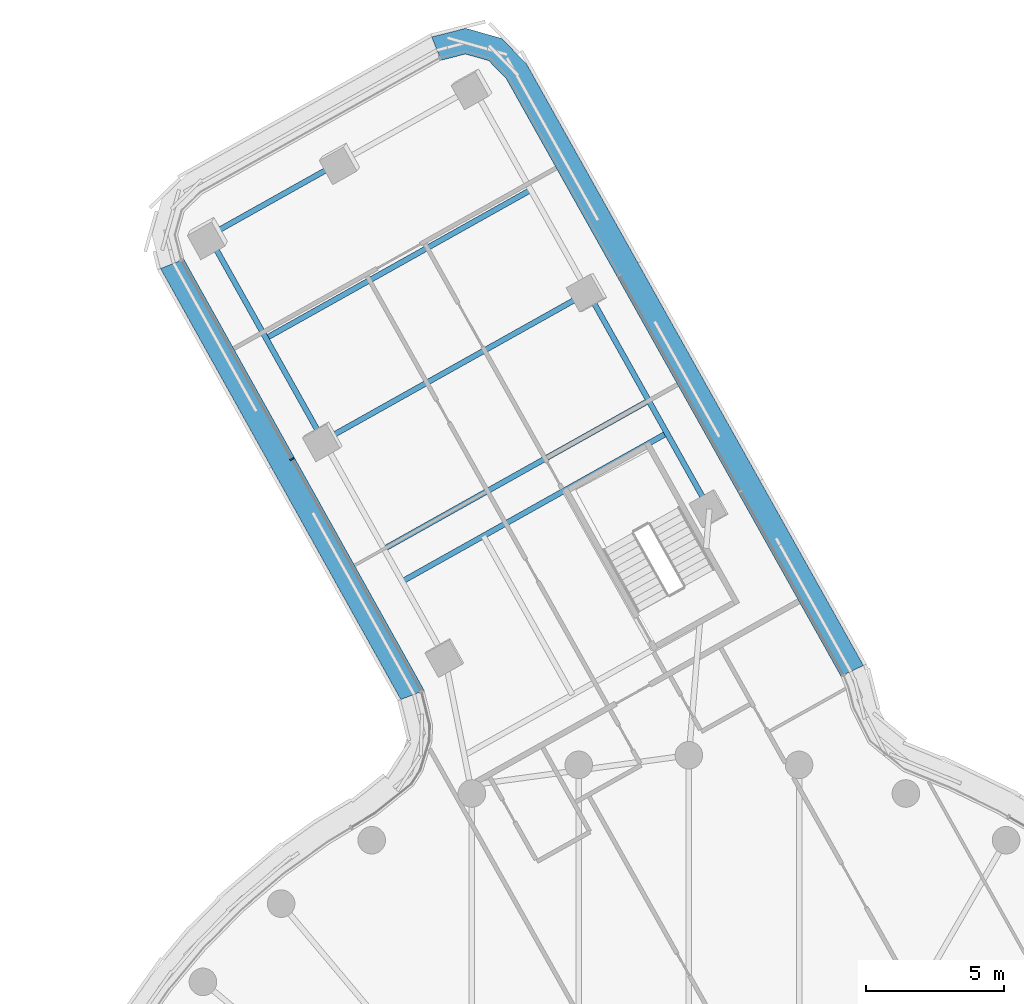
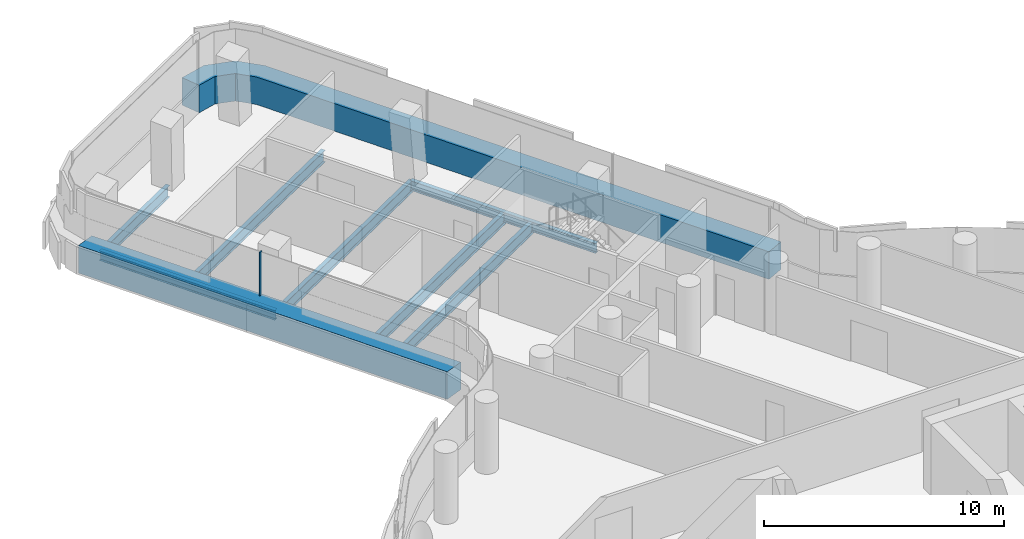
# One storey, part 16 of 34: 7 beams, 3 members, 2 elements without a shape of their own.
"""IFC4 building model written with IfcOpenShell, lengths in metres."""

from ifc_helpers import new_model, si_unit, direction, frame, origin, origin_2d, place, context, subcontext, project, spatial, polyline, rectangle, i_section, outline, extrude, material, layer, layer_set, material_profile, profile_set, type_object, element, aggregate, save


model = new_model("IFC4")

# Units and contexts
model_context = context("Model", 3, precision=1e-05, world=origin(), true_north=direction((0.0, 1.0)))
body_context = subcontext(model_context, "Body", "Model", "MODEL_VIEW")
ifc_project = project(units=[si_unit("LENGTHUNIT", "METRE"), si_unit("AREAUNIT", "SQUARE_METRE"), si_unit("VOLUMEUNIT", "CUBIC_METRE"), si_unit("PLANEANGLEUNIT", "RADIAN"), si_unit("MASSUNIT", "GRAM", prefix="KILO")], contexts=[model_context])

# Site, building, storey
site_placement = place(None, origin())
site = spatial("IfcSite", under=ifc_project, at=site_placement, CompositionType="ELEMENT")
building_placement = place(site_placement, origin())
building = spatial("IfcBuilding", under=site, at=building_placement, Name="Tamarind Cross Interchange Tower", CompositionType="ELEMENT")
storey_placement = place(building_placement, frame((0.0, 0.0, 140.5)))
storey = spatial("IfcBuildingStorey", under=building, at=storey_placement, Name="L34", CompositionType="ELEMENT", Elevation=140.5)

# Beams
ifc_material_1 = material(Name="Steel Q355B", Category="steel")
ifc_material_profile_1 = material_profile(ifc_material_1, i_section(OverallWidth=0.198974609375, OverallDepth=0.49609375, WebThickness=0.009033203125, FlangeThickness=0.013916015625, FilletRadius=0.012939453125, at=origin_2d()), Name="HN 496x199x9x14")
ifc_profile_set_1 = profile_set([ifc_material_profile_1], Name="Steel Q355B")
beam_type_1 = type_object("IfcBeamType", Name="Composite beam HN 496x199x9x14 Q355B", PredefinedType="BEAM", material=ifc_profile_set_1)
beam_1_placement = place(storey_placement, frame((-3.65576171875, 39.78125, -0.387939453125), z_axis=(0.488691751996, -0.872456515553, 0.0), x_axis=(0.872456515553, 0.488691751996, 0.0)))
element("IfcBeam", 1, at=beam_1_placement, inside=storey, type_object=beam_type_1, Name="Beam N-edgeem6", PredefinedType="BEAM", context=body_context, shape_type="SweptSolid", body=[
    extrude(i_section(OverallWidth=0.198974609375, OverallDepth=0.49609375, WebThickness=0.009033203125, FlangeThickness=0.013916015625, FilletRadius=0.012939453125, at=origin_2d()), origin(), (0.0, 0.0, 1.0), 9.0),
])
beam_2_placement = place(storey_placement, frame((-17.412109375, 41.83154296875, -0.387939453125), z_axis=(0.488669750731, -0.872468838825, 0.0), x_axis=(0.872468838825, 0.488669750731, 0.0)))
element("IfcBeam", 2, at=beam_2_placement, inside=storey, type_object=beam_type_1, Name="Beam N-edgeep2", PredefinedType="BEAM", context=body_context, shape_type="SweptSolid", body=[
    extrude(i_section(OverallWidth=0.198974609375, OverallDepth=0.49609375, WebThickness=0.009033203125, FlangeThickness=0.013916015625, FilletRadius=0.012939453125, at=origin_2d()), origin(), (0.0, 0.0, 1.0), 8.51123046875),
])
ifc_material_profile_2 = material_profile(ifc_material_1, i_section(OverallWidth=0.199951171875, OverallDepth=0.60009765625, WebThickness=0.010986328125, FlangeThickness=0.01708984375, FilletRadius=0.012939453125, at=origin_2d()), Name="HN 600x200x11x17")
ifc_profile_set_2 = profile_set([ifc_material_profile_2], Name="Steel Q355B")
beam_type_2 = type_object("IfcBeamType", Name="Composite beam HN 600x200x11x17 Q355B", PredefinedType="BEAM", material=ifc_profile_set_2)
beam_3_placement = place(storey_placement, frame((-12.61376953125, 44.519287109375, -0.43994140625), z_axis=(-0.872453780313, -0.488696635161, 0.0), x_axis=(0.488696635161, -0.872453780313, 0.0)))
element("IfcBeam", 3, at=beam_3_placement, inside=storey, type_object=beam_type_2, Name="Beam N-tip1", PredefinedType="BEAM", context=body_context, shape_type="SweptSolid", body=[
    extrude(i_section(OverallWidth=0.199951171875, OverallDepth=0.60009765625, WebThickness=0.010986328125, FlangeThickness=0.01708984375, FilletRadius=0.012939453125, at=origin_2d()), origin(), (0.0, 0.0, 1.0), 5.499755859375),
])
beam_4_placement = place(storey_placement, frame((-0.796875, 34.677490234375, -0.43994140625), z_axis=(-0.872454918509, -0.488694603171, 0.0), x_axis=(0.488694603171, -0.872454918509, 0.0)))
element("IfcBeam", 4, at=beam_4_placement, inside=storey, type_object=beam_type_2, Name="Beam N-x334", PredefinedType="BEAM", context=body_context, shape_type="SweptSolid", body=[
    extrude(i_section(OverallWidth=0.199951171875, OverallDepth=0.60009765625, WebThickness=0.010986328125, FlangeThickness=0.01708984375, FilletRadius=0.012939453125, at=origin_2d()), origin(), (0.0, 0.0, 1.0), 11.000244140625),
])
beam_5_placement = place(storey_placement, frame((-3.65576171875, 39.78125, -0.43994140625), z_axis=(-0.872464381267, -0.488677709151, 0.0), x_axis=(0.488677709151, -0.872464381267, 0.0)))
element("IfcBeam", 5, at=beam_5_placement, inside=storey, type_object=beam_type_2, Name="Beam N-x393", PredefinedType="BEAM", context=body_context, shape_type="SweptSolid", body=[
    extrude(i_section(OverallWidth=0.199951171875, OverallDepth=0.60009765625, WebThickness=0.010986328125, FlangeThickness=0.01708984375, FilletRadius=0.012939453125, at=origin_2d()), origin(), (0.0, 0.0, 1.0), 11.0),
])
beam_6_placement = place(storey_placement, frame((-1.456787109375, 35.855224609375, -0.43994140625), z_axis=(-0.872459080944, -0.488687172002, 0.0), x_axis=(0.488687172002, -0.872459080944, 0.0)))
element("IfcBeam", 6, at=beam_6_placement, inside=storey, type_object=beam_type_2, Name="Beam N-x348", PredefinedType="BEAM", context=body_context, shape_type="SweptSolid", body=[
    extrude(i_section(OverallWidth=0.199951171875, OverallDepth=0.60009765625, WebThickness=0.010986328125, FlangeThickness=0.01708984375, FilletRadius=0.012939453125, at=origin_2d()), origin(), (0.0, 0.0, 1.0), 10.999755859375),
])
beam_7_placement = place(storey_placement, frame((-5.7353515625, 43.494140625, -0.43994140625), z_axis=(-0.872464381267, -0.488677709151, 0.0), x_axis=(0.488677709151, -0.872464381267, 0.0)))
element("IfcBeam", 7, at=beam_7_placement, inside=storey, type_object=beam_type_2, Name="Beam N-x436", PredefinedType="BEAM", context=body_context, shape_type="SweptSolid", body=[
    extrude(i_section(OverallWidth=0.199951171875, OverallDepth=0.60009765625, WebThickness=0.010986328125, FlangeThickness=0.01708984375, FilletRadius=0.012939453125, at=origin_2d()), origin(), (0.0, 0.0, 1.0), 11.0),
])

# Curtain wall, member
ifc_material_2 = material(Name="Aluminium 6063-T6", Category="aluminium")
ifc_layer = layer(ifc_material_2, 0.159912109375)
ifc_layer_set = layer_set([ifc_layer], Name="Aluminium 6063-T6")
curtain_wall_type = type_object("IfcCurtainWallType", Name="Office curtain wall, 9.0 m bays", PredefinedType="NOTDEFINED", material=ifc_layer_set)
curtain_wall_1_placement = place(storey_placement, origin())
curtain_wall_1 = element("IfcCurtainWall", 8, at=curtain_wall_1_placement, inside=storey, type_object=curtain_wall_type, Name="CWS-L34-11", PredefinedType="NOTDEFINED")
ifc_material_3 = material(Name="Aluminium and insulated spandrel panel", Category="aluminium")
member_type_1 = type_object("IfcMemberType", Name="Floor-edge blade transom", PredefinedType="USERDEFINED", material=ifc_material_3)
member_1_placement = place(storey_placement, origin())
member_1 = element("IfcMember", 9, at=member_1_placement, type_object=member_type_1, Name="CWT-L34-11", ObjectType="TRANSOM", PredefinedType="USERDEFINED", context=body_context, shape_type="SweptSolid", body=[
    extrude(outline(polyline([(5.51416015625, 25.86572265625), (-6.62060546875, 47.530029296875), (-7.259521484375, 48.185546875), (-8.10107421875, 48.423095703125), (-8.98828125, 48.197509765625), (-9.32470703125, 49.040771484375), (-8.089111328125, 49.354736328125), (-6.783203125, 48.986572265625), (-5.893310546875, 48.0732421875), (6.328125, 26.25390625), (5.51416015625, 25.86572265625)])), origin(), (0.0, 0.0, 1.0), 1.39990234375),
])
aggregate(curtain_wall_1, [member_1])

# Curtain wall, members
curtain_wall_2_placement = place(storey_placement, origin())
curtain_wall_2 = element("IfcCurtainWall", 10, at=curtain_wall_2_placement, inside=storey, type_object=curtain_wall_type, Name="CWS-L34-13", PredefinedType="NOTDEFINED")
member_2_placement = place(storey_placement, origin())
member_2 = element("IfcMember", 11, at=member_2_placement, type_object=member_type_1, Name="CWT-L34-13", ObjectType="TRANSOM", PredefinedType="USERDEFINED", context=body_context, shape_type="SweptSolid", body=[
    extrude(outline(polyline([(-18.3115234375, 40.981201171875), (-9.597900390625, 25.3505859375), (-10.443359375, 25.0185546875), (-19.15478515625, 40.645751953125), (-18.3115234375, 40.981201171875)])), origin(), (0.0, 0.0, 1.0), 1.39990234375),
])
ifc_material_profile_3 = material_profile(ifc_material_2, rectangle(XDim=0.06005859375, YDim=0.159912109375, at=origin_2d()), Name="Mullion CW1")
ifc_profile_set_3 = profile_set([ifc_material_profile_3], Name="Aluminium 6063-T6")
member_type_2 = type_object("IfcMemberType", Name="Mullion CW1", PredefinedType="MULLION", material=ifc_profile_set_3)
member_3_placement = place(storey_placement, frame((-14.388427734375, 33.73876953125, 1.39990234375), z_axis=(0.0, 0.0, 1.0), x_axis=(0.486914520101, -0.873449626547, 0.0)))
member_3 = element("IfcMember", 12, at=member_3_placement, type_object=member_type_2, Name="CWM-L34-13-01", PredefinedType="MULLION", context=body_context, shape_type="SweptSolid", body=[
    extrude(rectangle(XDim=0.06005859375, YDim=0.159912109375, at=origin_2d()), origin(), (0.0, 0.0, 1.0), 2.210205078125),
])
aggregate(curtain_wall_2, [member_3, member_2])

save(model, "model.ifc")
